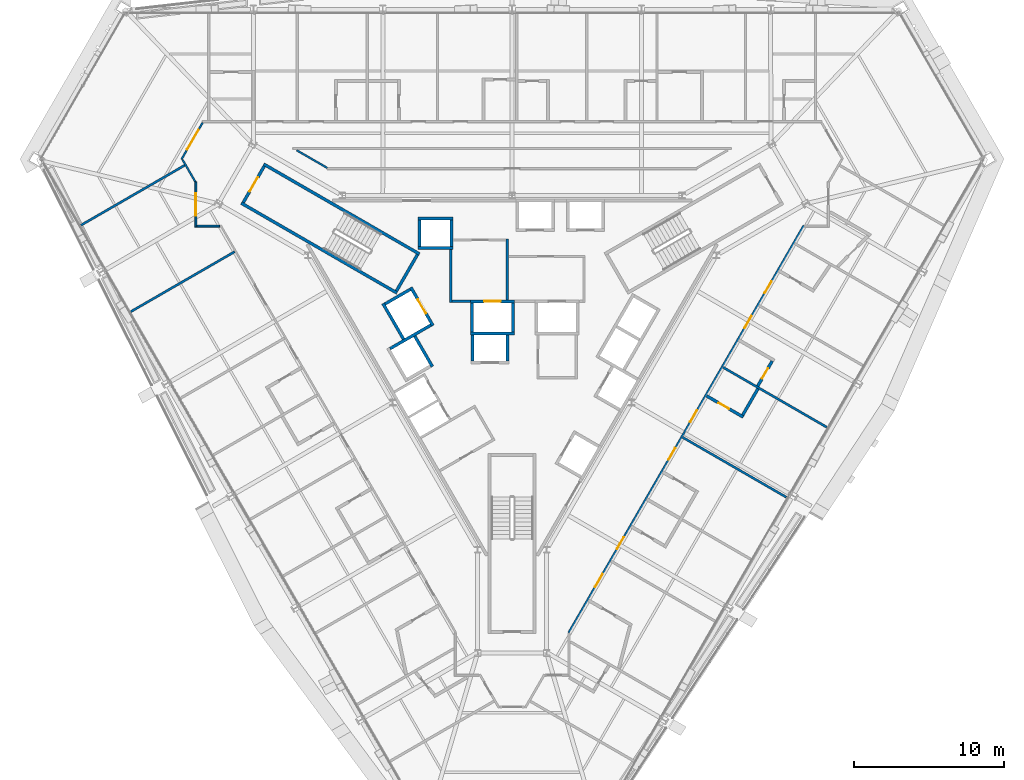
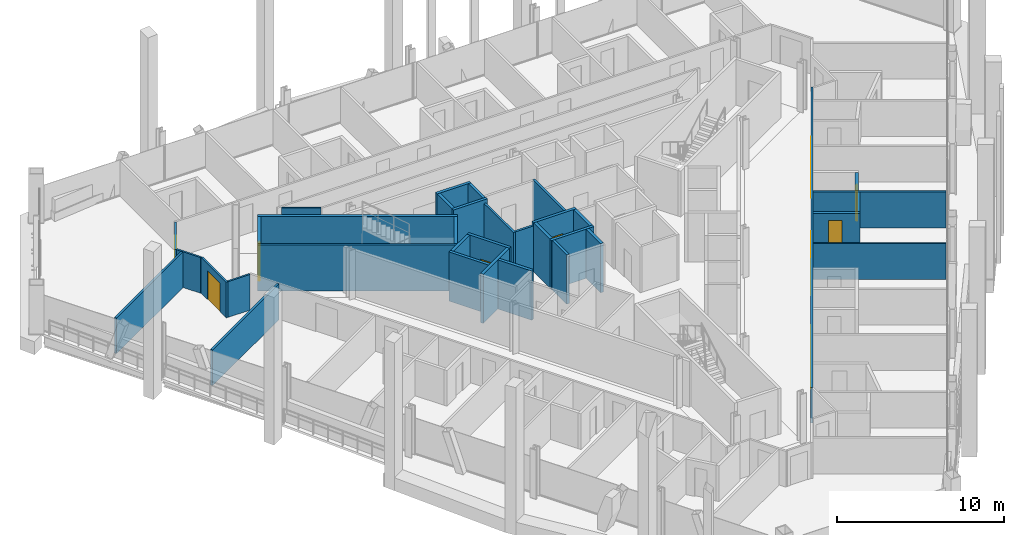
# One storey, part 13 of 19: 35 walls, 13 doors, 13 openings.
"""IFC4 building model written with IfcOpenShell, lengths in metres."""

from ifc_helpers import new_model, si_unit, direction, frame, frame_2d, origin, place, context, subcontext, project, spatial, rectangle, extrude, material, layer, layer_set, type_object, element, fill, save


model = new_model("IFC4")

# Units and contexts
model_context = context("Model", 3, precision=1e-05, world=origin(), true_north=direction((0.0, 1.0)))
body_context = subcontext(model_context, "Body", "Model", "MODEL_VIEW")
ifc_project = project(units=[si_unit("LENGTHUNIT", "METRE"), si_unit("AREAUNIT", "SQUARE_METRE"), si_unit("VOLUMEUNIT", "CUBIC_METRE"), si_unit("PLANEANGLEUNIT", "RADIAN"), si_unit("MASSUNIT", "GRAM", prefix="KILO")], contexts=[model_context])

# Site, building, storey
site_placement = place(None, origin())
site = spatial("IfcSite", under=ifc_project, at=site_placement, CompositionType="ELEMENT")
building_placement = place(site_placement, origin())
building = spatial("IfcBuilding", under=site, at=building_placement, Name="Verrane Prism Tower", CompositionType="ELEMENT")
storey_placement = place(building_placement, frame((0.0, 0.0, 76.39990234375)))
storey = spatial("IfcBuildingStorey", under=building, at=storey_placement, Name="L17", CompositionType="ELEMENT", Elevation=76.39990234375)

# Wall, opening, door
ifc_material_1 = material(Name="Concrete C40/50", Category="concrete")
ifc_layer_1 = layer(ifc_material_1, 0.199951171875)
ifc_layer_set_1 = layer_set([ifc_layer_1], Name="CW-200 stair core wall concrete C40/50 3 h")
wall_type_1 = type_object("IfcWallType", Name="CW-200 stair core wall concrete C40/50 3 h", PredefinedType="PARTITIONING", material=ifc_layer_set_1)
wall_1_placement = place(storey_placement, frame((-16.533935546875, 11.162353515625, 0.0), z_axis=(0.0, 0.0, 1.0), x_axis=(-0.49998411664, -0.866034573852, 0.0)))
wall_1 = element("IfcWall", 1, at=wall_1_placement, inside=storey, type_object=wall_type_1, Name="Stair 2 enclosure wall", PredefinedType="PARTITIONING", context=body_context, shape_type="SweptSolid", body=[
    extrude(rectangle(XDim=2.7998046875, YDim=0.199951171875, at=frame_2d((1.39990234375, 0.0))), origin(), (0.0, 0.0, 1.0), 3.35009765625),
])
opening_1_placement = place(wall_1_placement, frame((0.849853515625, 0.0, 0.0)))
opening_1 = element("IfcOpeningElement", 2, at=opening_1_placement, cuts=wall_1, Name="Opening D17501", PredefinedType="OPENING", context=body_context, shape_type="SweptSolid", body=[
    extrude(rectangle(XDim=1.10009765625, YDim=2.10009765625, at=frame_2d((0.550048828125, 1.050048828125))), frame((0.0, 0.10986328125, 0.0), z_axis=(0.0, -1.0, 0.0), x_axis=(1.0, 0.0, 0.0)), (0.0, 0.0, 1.0), 0.219970703125),
])
ifc_material_2 = material(Name="Timber veneered door leaf", Category="wood")
door_type_1 = type_object("IfcDoorType", Name="DR-1100x2100 FD90 single leaf stair", OperationType="NOTDEFINED", PredefinedType="DOOR", material=ifc_material_2)
door_1_placement = place(opening_1_placement, origin())
door_1 = element("IfcDoor", 3, at=door_1_placement, inside=storey, type_object=door_type_1, Name="Stair 2 door", OperationType="SINGLE_SWING_RIGHT", OverallHeight=2.10009765625, OverallWidth=1.10009765625, PredefinedType="DOOR", context=body_context, shape_type="SweptSolid", body=[
    extrude(rectangle(XDim=1.10009765625, YDim=2.10009765625, at=frame_2d((0.550048828125, 1.050048828125))), frame((0.0, 0.02490234375, 0.0), z_axis=(0.0, -1.0, 0.0), x_axis=(1.0, 0.0, 0.0)), (0.0, 0.0, 1.0), 0.050048828125),
])
fill(opening_1, door_1)

# Walls
for number, where, z_axis, x_axis, name in (
    (4, (-7.67822265625, 2.700927734375, 0.0), (0.0, 0.0, 1.0), (-0.866026010844, 0.49999894854, 0.0), "Stair 2 enclosure wall"),
    (5, (-6.17822265625, 5.299072265625, 0.0), (0.0, 0.0, 1.0), (-0.866026010844, 0.49999894854, 0.0), "Stair 2 enclosure wall"),
):
    element("IfcWall", number, at=place(storey_placement, frame(where, z_axis=z_axis, x_axis=x_axis)), inside=storey, type_object=wall_type_1, Name=name, PredefinedType="PARTITIONING", context=body_context, shape_type="SweptSolid", body=[
        extrude(rectangle(XDim=12.0, YDim=0.199951171875, at=frame_2d((6.0, 0.0))), origin(), (0.0, 0.0, 1.0), 3.35009765625),
    ])
wall_2_placement = place(storey_placement, frame((-6.314697265625, 5.262451171875, 0.0), z_axis=(0.0, 0.0, 1.0), x_axis=(-0.500049511043, -0.865996816683, 0.0)))
element("IfcWall", 6, at=wall_2_placement, inside=storey, type_object=wall_type_1, Name="Stair 2 enclosure wall", PredefinedType="PARTITIONING", context=body_context, shape_type="SweptSolid", body=[
    extrude(rectangle(XDim=2.800048828125, YDim=0.199951171875, at=frame_2d((1.39990234375, 0.0))), origin(), (0.0, 0.0, 1.0), 3.35009765625),
])
ifc_material_3 = material(Name="Gypsum board shaft wall assembly", Category="other")
ifc_layer_2 = layer(ifc_material_3, 0.199951171875)
ifc_layer_set_2 = layer_set([ifc_layer_2], Name="HW-200 lift shaft wall 2 h")
wall_type_2 = type_object("IfcWallType", Name="HW-200 lift shaft wall 2 h", PredefinedType="PARTITIONING", material=ifc_layer_set_2)
wall_3_placement = place(storey_placement, frame((-2.784912109375, 0.0, 0.0), z_axis=(0.0, 0.0, 1.0), x_axis=(1.0, 0.0, 0.0)))
element("IfcWall", 7, at=wall_3_placement, inside=storey, type_object=wall_type_2, Name="Lift shaft wall", PredefinedType="PARTITIONING", context=body_context, shape_type="SweptSolid", body=[
    extrude(rectangle(XDim=2.949951171875, YDim=0.199951171875, at=frame_2d((1.47509765625, 0.0))), origin(), (0.0, 0.0, 1.0), 3.60009765625),
])

# Wall, opening, door
wall_4_placement = place(storey_placement, frame((-2.784912109375, 2.14990234375, 0.0), z_axis=(0.0, 0.0, 1.0), x_axis=(1.0, 0.0, 0.0)))
wall_4 = element("IfcWall", 8, at=wall_4_placement, inside=storey, type_object=wall_type_2, Name="Lift shaft wall", PredefinedType="PARTITIONING", context=body_context, shape_type="SweptSolid", body=[
    extrude(rectangle(XDim=2.949951171875, YDim=0.199951171875, at=frame_2d((1.47509765625, 0.0))), origin(), (0.0, 0.0, 1.0), 3.60009765625),
])
opening_2_placement = place(wall_4_placement, frame((0.925048828125, 0.0, 0.0)))
opening_2 = element("IfcOpeningElement", 9, at=opening_2_placement, cuts=wall_4, Name="Opening D17508", PredefinedType="OPENING", context=body_context, shape_type="SweptSolid", body=[
    extrude(rectangle(XDim=1.10009765625, YDim=2.10009765625, at=frame_2d((0.550048828125, 1.050048828125))), frame((0.0, 0.10986328125, 0.0), z_axis=(0.0, -1.0, 0.0), x_axis=(1.0, 0.0, 0.0)), (0.0, 0.0, 1.0), 0.219970703125),
])
ifc_material_4 = material(Name="Stainless steel sliding landing door", Category="steel")
door_type_2 = type_object("IfcDoorType", Name="LD-1100x2100 lift landing door FD90 sliding", OperationType="NOTDEFINED", PredefinedType="DOOR", material=ifc_material_4)
door_2_placement = place(opening_2_placement, origin())
door_2 = element("IfcDoor", 10, at=door_2_placement, inside=storey, type_object=door_type_2, Name="Fire service lift 1 landing door", OperationType="SLIDING_TO_LEFT", OverallHeight=2.10009765625, OverallWidth=1.10009765625, PredefinedType="DOOR", context=body_context, shape_type="SweptSolid", body=[
    extrude(rectangle(XDim=1.10009765625, YDim=2.10009765625, at=frame_2d((0.550048828125, 1.050048828125))), frame((0.0, 0.02490234375, 0.0), z_axis=(0.0, -1.0, 0.0), x_axis=(1.0, 0.0, 0.0)), (0.0, 0.0, 1.0), 0.050048828125),
])
fill(opening_2, door_2)

# Walls
for number, where, z_axis, x_axis, name in (
    (11, (-6.284912109375, 5.7099609375, 0.0), (0.0, 0.0, 1.0), (1.0, 0.0, 0.0), "Lift shaft wall"),
    (12, (-6.284912109375, 7.659912109375, 0.0), (0.0, 0.0, 1.0), (1.0, 0.0, 0.0), "Lift shaft wall"),
):
    element("IfcWall", number, at=place(storey_placement, frame(where, z_axis=z_axis, x_axis=x_axis)), inside=storey, type_object=wall_type_2, Name=name, PredefinedType="PARTITIONING", context=body_context, shape_type="SweptSolid", body=[
        extrude(rectangle(XDim=2.349853515625, YDim=0.199951171875, at=frame_2d((1.1748046875, 0.0))), origin(), (0.0, 0.0, 1.0), 3.60009765625),
    ])
wall_5_placement = place(storey_placement, frame((-8.14453125, -1.012939453125, 0.0), z_axis=(0.0, 0.0, 1.0), x_axis=(0.866016494683, 0.500015430699, 0.0)))
element("IfcWall", 13, at=wall_5_placement, inside=storey, type_object=wall_type_2, Name="Lift shaft wall", PredefinedType="PARTITIONING", context=body_context, shape_type="SweptSolid", body=[
    extrude(rectangle(XDim=3.14990234375, YDim=0.199951171875, at=frame_2d((1.574951171875, 0.0))), origin(), (0.0, 0.0, 1.0), 3.60009765625),
])
for number, where, z_axis, x_axis, name in (
    (14, (-8.48046875, 1.968505859375, 0.0), (0.0, 0.0, 1.0), (0.866000020948, 0.500043961785, 0.0), "Lift shaft wall"),
    (15, (0.06494140625, 0.10009765625, 0.0), (0.0, 0.0, 1.0), (0.0, 1.0, 0.0), "Lift shaft wall"),
):
    element("IfcWall", number, at=place(storey_placement, frame(where, z_axis=z_axis, x_axis=x_axis)), inside=storey, type_object=wall_type_2, Name=name, PredefinedType="PARTITIONING", context=body_context, shape_type="SweptSolid", body=[
        extrude(rectangle(XDim=1.949951171875, YDim=0.199951171875, at=frame_2d((0.97509765625, 0.0))), origin(), (0.0, 0.0, 1.0), 3.60009765625),
    ])
for number, where, z_axis, x_axis, name in (
    (16, (-0.304931640625, -1.85009765625, 0.0), (0.0, 0.0, 1.0), (0.0, 1.0, 0.0), "Lift shaft wall"),
    (17, (-2.655029296875, -1.85009765625, 0.0), (0.0, 0.0, 1.0), (0.0, 1.0, 0.0), "Lift shaft wall"),
):
    element("IfcWall", number, at=place(storey_placement, frame(where, z_axis=z_axis, x_axis=x_axis)), inside=storey, type_object=wall_type_2, Name=name, PredefinedType="PARTITIONING", context=body_context, shape_type="SweptSolid", body=[
        extrude(rectangle(XDim=1.75, YDim=0.199951171875, at=frame_2d((0.875, 0.0))), origin(), (0.0, 0.0, 1.0), 3.60009765625),
    ])
wall_6_placement = place(storey_placement, frame((-2.68505859375, 0.10009765625, 0.0), z_axis=(0.0, 0.0, 1.0), x_axis=(0.0, 1.0, 0.0)))
element("IfcWall", 18, at=wall_6_placement, inside=storey, type_object=wall_type_2, Name="Lift shaft wall", PredefinedType="PARTITIONING", context=body_context, shape_type="SweptSolid", body=[
    extrude(rectangle(XDim=1.949951171875, YDim=0.199951171875, at=frame_2d((0.97509765625, 0.0))), origin(), (0.0, 0.0, 1.0), 3.60009765625),
])
for number, where, z_axis, x_axis, name in (
    (19, (-4.034912109375, 5.81005859375, 0.0), (0.0, 0.0, 1.0), (0.0, 1.0, 0.0), "Lift shaft wall"),
    (20, (-6.18505859375, 5.81005859375, 0.0), (0.0, 0.0, 1.0), (0.0, 1.0, 0.0), "Lift shaft wall"),
):
    element("IfcWall", number, at=place(storey_placement, frame(where, z_axis=z_axis, x_axis=x_axis)), inside=storey, type_object=wall_type_2, Name=name, PredefinedType="PARTITIONING", context=body_context, shape_type="SweptSolid", body=[
        extrude(rectangle(XDim=1.75, YDim=0.199951171875, at=frame_2d((0.875, 0.0))), origin(), (0.0, 0.0, 1.0), 3.60009765625),
    ])

# Wall, opening, door
wall_7_placement = place(storey_placement, frame((-5.280029296875, 0.525390625, 0.0), z_axis=(0.0, 0.0, 1.0), x_axis=(-0.500037662692, 0.866003658127, 0.0)))
wall_7 = element("IfcWall", 21, at=wall_7_placement, inside=storey, type_object=wall_type_2, Name="Lift shaft wall", PredefinedType="PARTITIONING", context=body_context, shape_type="SweptSolid", body=[
    extrude(rectangle(XDim=2.949951171875, YDim=0.199951171875, at=frame_2d((1.47509765625, 0.0))), origin(), (0.0, 0.0, 1.0), 3.60009765625),
])
opening_3_placement = place(wall_7_placement, frame((0.925048828125, 0.0, 0.0)))
opening_3 = element("IfcOpeningElement", 22, at=opening_3_placement, cuts=wall_7, Name="Opening D17510", PredefinedType="OPENING", context=body_context, shape_type="SweptSolid", body=[
    extrude(rectangle(XDim=1.10009765625, YDim=2.10009765625, at=frame_2d((0.550048828125, 1.050048828125))), frame((0.0, 0.10986328125, 0.0), z_axis=(0.0, -1.0, 0.0), x_axis=(1.0, 0.0, 0.0)), (0.0, 0.0, 1.0), 0.219970703125),
])
door_3_placement = place(opening_3_placement, origin())
door_3 = element("IfcDoor", 23, at=door_3_placement, inside=storey, type_object=door_type_2, Name="Service lift 1 landing door", OperationType="SLIDING_TO_LEFT", OverallHeight=2.10009765625, OverallWidth=1.10009765625, PredefinedType="DOOR", context=body_context, shape_type="SweptSolid", body=[
    extrude(rectangle(XDim=1.10009765625, YDim=2.10009765625, at=frame_2d((0.550048828125, 1.050048828125))), frame((0.0, 0.02490234375, 0.0), z_axis=(0.0, -1.0, 0.0), x_axis=(1.0, 0.0, 0.0)), (0.0, 0.0, 1.0), 0.050048828125),
])
fill(opening_3, door_3)

# Walls
wall_8_placement = place(storey_placement, frame((-5.317626953125, -2.209716796875, 0.0), z_axis=(0.0, 0.0, 1.0), x_axis=(-0.499938297808, 0.866061024631, 0.0)))
element("IfcWall", 24, at=wall_8_placement, inside=storey, type_object=wall_type_2, Name="Lift shaft wall", PredefinedType="PARTITIONING", context=body_context, shape_type="SweptSolid", body=[
    extrude(rectangle(XDim=2.349853515625, YDim=0.199951171875, at=frame_2d((1.1748046875, 0.0))), origin(), (0.0, 0.0, 1.0), 3.60009765625),
])
wall_9_placement = place(storey_placement, frame((-7.241943359375, -0.37646484375, 0.0), z_axis=(0.0, 0.0, 1.0), x_axis=(-0.499996545922, 0.866027397988, 0.0)))
element("IfcWall", 25, at=wall_9_placement, inside=storey, type_object=wall_type_2, Name="Lift shaft wall", PredefinedType="PARTITIONING", context=body_context, shape_type="SweptSolid", body=[
    extrude(rectangle(XDim=2.75, YDim=0.199951171875, at=frame_2d((1.375, 0.0))), origin(), (0.0, 0.0, 1.0), 3.60009765625),
])
ifc_material_5 = material(Name="Gypsum board partition", Category="other")
ifc_layer_3 = layer(ifc_material_5, 0.14990234375)
ifc_layer_set_3 = layer_set([ifc_layer_3], Name="LF-150 firefighting lobby wall 1 h")
wall_type_3 = type_object("IfcWallType", Name="LF-150 firefighting lobby wall 1 h", PredefinedType="PARTITIONING", material=ifc_layer_set_3)
wall_10_placement = place(storey_placement, frame((-4.10009765625, 2.0849609375, 0.0), z_axis=(0.0, 0.0, 1.0), x_axis=(0.0, 1.0, 0.0)))
element("IfcWall", 26, at=wall_10_placement, inside=storey, type_object=wall_type_3, Name="Firefighting lobby wall LF1-001", PredefinedType="PARTITIONING", context=body_context, shape_type="SweptSolid", body=[
    extrude(rectangle(XDim=3.52294921875, YDim=0.14990234375, at=frame_2d((1.761474609375, 0.0))), origin(), (0.0, 0.0, 1.0), 3.35009765625),
])
wall_11_placement = place(storey_placement, frame((-4.02490234375, 2.159912109375, 0.0), z_axis=(0.0, 0.0, 1.0), x_axis=(1.0, 0.0, 0.0)))
element("IfcWall", 27, at=wall_11_placement, inside=storey, type_object=wall_type_3, Name="Firefighting lobby wall LF1-002", PredefinedType="PARTITIONING", context=body_context, shape_type="SweptSolid", body=[
    extrude(rectangle(XDim=1.23779296875, YDim=0.14990234375, at=frame_2d((0.618896484375, 0.0))), origin(), (0.0, 0.0, 1.0), 3.35009765625),
])
wall_12_placement = place(storey_placement, frame((-0.320068359375, 2.251953125, 0.0), z_axis=(0.0, 0.0, 1.0), x_axis=(0.0, 1.0, 0.0)))
element("IfcWall", 28, at=wall_12_placement, inside=storey, type_object=wall_type_3, Name="Firefighting lobby wall LF1-004", PredefinedType="PARTITIONING", context=body_context, shape_type="SweptSolid", body=[
    extrude(rectangle(XDim=4.06298828125, YDim=0.14990234375, at=frame_2d((2.031494140625, 0.0))), origin(), (0.0, 0.0, 1.0), 3.35009765625),
])
ifc_material_6 = material(Name="Gypsum board partition", Category="other")
ifc_layer_4 = layer(ifc_material_6, 0.125)
ifc_layer_set_4 = layer_set([ifc_layer_4], Name="PW-125 corridor wall 1 h")
wall_type_4 = type_object("IfcWallType", Name="PW-125 corridor wall 1 h", PredefinedType="PARTITIONING", material=ifc_layer_set_4)
wall_13_placement = place(storey_placement, frame((-21.982421875, 11.593505859375, 0.0), z_axis=(0.0, 0.0, 1.0), x_axis=(0.500048373822, -0.865997473344, 0.0)))
element("IfcWall", 29, at=wall_13_placement, inside=storey, type_object=wall_type_4, Name="Corridor wall 004", PredefinedType="PARTITIONING", context=body_context, shape_type="SweptSolid", body=[
    extrude(rectangle(XDim=1.685791015625, YDim=0.125, at=frame_2d((0.8427734375, 0.0))), origin(), (0.0, 0.0, 1.0), 2.613037109375),
])

# Wall, opening, door
wall_14_placement = place(storey_placement, frame((-22.05615234375, 11.61279296875, 0.0), z_axis=(0.0, 0.0, 1.0), x_axis=(0.499647745683, 0.866228682412, 0.0)))
wall_14 = element("IfcWall", 30, at=wall_14_placement, inside=storey, type_object=wall_type_4, Name="Corridor wall 005", PredefinedType="PARTITIONING", context=body_context, shape_type="SweptSolid", body=[
    extrude(rectangle(XDim=2.8291015625, YDim=0.125, at=frame_2d((1.41455078125, 0.0))), origin(), (0.0, 0.0, 1.0), 2.613037109375),
])
opening_4_placement = place(wall_14_placement, frame((0.762451171875, 0.0, 0.0)))
opening_4 = element("IfcOpeningElement", 31, at=opening_4_placement, cuts=wall_14, Name="Opening D17034", PredefinedType="OPENING", context=body_context, shape_type="SweptSolid", body=[
    extrude(rectangle(XDim=1.5, YDim=2.10009765625, at=frame_2d((0.75, 1.050048828125))), frame((0.0, 0.072509765625, 0.0), z_axis=(0.0, -1.0, 0.0), x_axis=(1.0, 0.0, 0.0)), (0.0, 0.0, 1.0), 0.14501953125),
])
ifc_material_7 = material(Name="Timber veneered door leaf", Category="wood")
door_type_3 = type_object("IfcDoorType", Name="DR-1500x2100 FD20 double leaf public", OperationType="NOTDEFINED", PredefinedType="DOOR", material=ifc_material_7)
door_4_placement = place(opening_4_placement, origin())
door_4 = element("IfcDoor", 32, at=door_4_placement, inside=storey, type_object=door_type_3, Name="Library Lounge door", OperationType="DOUBLE_DOOR_SINGLE_SWING", OverallHeight=2.10009765625, OverallWidth=1.5, PredefinedType="DOOR", context=body_context, shape_type="SweptSolid", body=[
    extrude(rectangle(XDim=1.5, YDim=2.10009765625, at=frame_2d((0.75, 1.050048828125))), frame((0.0, 0.02490234375, 0.0), z_axis=(0.0, -1.0, 0.0), x_axis=(1.0, 0.0, 0.0)), (0.0, 0.0, 1.0), 0.050048828125),
])
fill(opening_4, door_4)

wall_15_placement = place(storey_placement, frame((-21.096923828125, 7.1005859375, 0.0), z_axis=(0.0, 0.0, 1.0), x_axis=(0.0, 1.0, 0.0)))
wall_15 = element("IfcWall", 33, at=wall_15_placement, inside=storey, type_object=wall_type_4, Name="Corridor wall 006", PredefinedType="PARTITIONING", context=body_context, shape_type="SweptSolid", body=[
    extrude(rectangle(XDim=3.02197265625, YDim=0.125, at=frame_2d((1.510986328125, 0.0))), origin(), (0.0, 0.0, 1.0), 2.613037109375),
])
opening_5_placement = place(wall_15_placement, frame((0.762451171875, 0.0, 0.0)))
opening_5 = element("IfcOpeningElement", 34, at=opening_5_placement, cuts=wall_15, Name="Opening D17035", PredefinedType="OPENING", context=body_context, shape_type="SweptSolid", body=[
    extrude(rectangle(XDim=1.5, YDim=2.10009765625, at=frame_2d((0.75, 1.050048828125))), frame((0.0, 0.072509765625, 0.0), z_axis=(0.0, -1.0, 0.0), x_axis=(1.0, 0.0, 0.0)), (0.0, 0.0, 1.0), 0.14501953125),
])
door_5_placement = place(opening_5_placement, origin())
door_5 = element("IfcDoor", 35, at=door_5_placement, inside=storey, type_object=door_type_3, Name="Meeting Room door", OperationType="DOUBLE_DOOR_SINGLE_SWING", OverallHeight=2.10009765625, OverallWidth=1.5, PredefinedType="DOOR", context=body_context, shape_type="SweptSolid", body=[
    extrude(rectangle(XDim=1.5, YDim=2.10009765625, at=frame_2d((0.75, 1.050048828125))), frame((0.0, 0.02490234375, 0.0), z_axis=(0.0, -1.0, 0.0), x_axis=(1.0, 0.0, 0.0)), (0.0, 0.0, 1.0), 0.050048828125),
])
fill(opening_5, door_5)

# Walls
wall_16_placement = place(storey_placement, frame((-21.031982421875, 7.1630859375, 0.0), z_axis=(0.0, 0.0, 1.0), x_axis=(1.0, 0.0, 0.0)))
element("IfcWall", 36, at=wall_16_placement, inside=storey, type_object=wall_type_4, Name="Corridor wall 007", PredefinedType="PARTITIONING", context=body_context, shape_type="SweptSolid", body=[
    extrude(rectangle(XDim=1.52197265625, YDim=0.125, at=frame_2d((0.760986328125, 0.0))), origin(), (0.0, 0.0, 1.0), 2.613037109375),
])
wall_17_placement = place(storey_placement, frame((-14.369873046875, 12.221923828125, 0.0), z_axis=(0.0, 0.0, 1.0), x_axis=(0.866063239147, -0.499934461503, 0.0)))
element("IfcWall", 37, at=wall_17_placement, inside=storey, type_object=wall_type_4, Name="Corridor wall 019", PredefinedType="PARTITIONING", context=body_context, shape_type="SweptSolid", body=[
    extrude(rectangle(XDim=2.359130859375, YDim=0.125, at=frame_2d((1.1796875, 0.0))), origin(), (0.0, 0.0, 1.0), 2.613037109375),
])

# Wall, openings, doors
wall_18_placement = place(storey_placement, frame((19.456298828125, 7.217041015625, 0.0), z_axis=(0.0, 0.0, 1.0), x_axis=(-0.50002170027, -0.866012874765, 0.0)))
wall_18 = element("IfcWall", 38, at=wall_18_placement, inside=storey, type_object=wall_type_4, Name="Corridor wall 056", PredefinedType="PARTITIONING", context=body_context, shape_type="SweptSolid", body=[
    extrude(rectangle(XDim=31.37939453125, YDim=0.125, at=frame_2d((15.689697265625, 0.0))), origin(), (0.0, 0.0, 1.0), 2.613037109375),
])
opening_6_placement = place(wall_18_placement, frame((26.84326171875, 0.0, 0.0)))
opening_6 = element("IfcOpeningElement", 39, at=opening_6_placement, cuts=wall_18, Name="Opening D17003", PredefinedType="OPENING", context=body_context, shape_type="SweptSolid", body=[
    extrude(rectangle(XDim=1.0, YDim=2.10009765625, at=frame_2d((0.5, 1.050048828125))), frame((0.0, 0.072509765625, 0.0), z_axis=(0.0, -1.0, 0.0), x_axis=(1.0, 0.0, 0.0)), (0.0, 0.0, 1.0), 0.14501953125),
])
opening_7_placement = place(wall_18_placement, frame((24.0302734375, 0.0, 0.0)))
opening_7 = element("IfcOpeningElement", 40, at=opening_7_placement, cuts=wall_18, Name="Opening D17005", PredefinedType="OPENING", context=body_context, shape_type="SweptSolid", body=[
    extrude(rectangle(XDim=0.89990234375, YDim=2.10009765625, at=frame_2d((0.449951171875, 1.050048828125))), frame((0.0, 0.072509765625, 0.0), z_axis=(0.0, -1.0, 0.0), x_axis=(1.0, 0.0, 0.0)), (0.0, 0.0, 1.0), 0.14501953125),
])
opening_8_placement = place(wall_18_placement, frame((17.1591796875, 0.0, 0.0)))
opening_8 = element("IfcOpeningElement", 41, at=opening_8_placement, cuts=wall_18, Name="Opening D17007", PredefinedType="OPENING", context=body_context, shape_type="SweptSolid", body=[
    extrude(rectangle(XDim=0.89990234375, YDim=2.10009765625, at=frame_2d((0.449951171875, 1.050048828125))), frame((0.0, 0.072509765625, 0.0), z_axis=(0.0, -1.0, 0.0), x_axis=(1.0, 0.0, 0.0)), (0.0, 0.0, 1.0), 0.14501953125),
])
opening_9_placement = place(wall_18_placement, frame((14.240234375, 0.0, 0.0)))
opening_9 = element("IfcOpeningElement", 42, at=opening_9_placement, cuts=wall_18, Name="Opening D17009", PredefinedType="OPENING", context=body_context, shape_type="SweptSolid", body=[
    extrude(rectangle(XDim=0.89990234375, YDim=2.10009765625, at=frame_2d((0.449951171875, 1.050048828125))), frame((0.0, 0.072509765625, 0.0), z_axis=(0.0, -1.0, 0.0), x_axis=(1.0, 0.0, 0.0)), (0.0, 0.0, 1.0), 0.14501953125),
])
opening_10_placement = place(wall_18_placement, frame((6.997314453125, 0.0, 0.0)))
opening_10 = element("IfcOpeningElement", 43, at=opening_10_placement, cuts=wall_18, Name="Opening D17011", PredefinedType="OPENING", context=body_context, shape_type="SweptSolid", body=[
    extrude(rectangle(XDim=0.89990234375, YDim=2.10009765625, at=frame_2d((0.449951171875, 1.050048828125))), frame((0.0, 0.072509765625, 0.0), z_axis=(0.0, -1.0, 0.0), x_axis=(1.0, 0.0, 0.0)), (0.0, 0.0, 1.0), 0.14501953125),
])
opening_11_placement = place(wall_18_placement, frame((4.3271484375, 0.0, 0.0)))
opening_11 = element("IfcOpeningElement", 44, at=opening_11_placement, cuts=wall_18, Name="Opening D17013", PredefinedType="OPENING", context=body_context, shape_type="SweptSolid", body=[
    extrude(rectangle(XDim=0.89990234375, YDim=2.10009765625, at=frame_2d((0.449951171875, 1.050048828125))), frame((0.0, 0.072509765625, 0.0), z_axis=(0.0, -1.0, 0.0), x_axis=(1.0, 0.0, 0.0)), (0.0, 0.0, 1.0), 0.14501953125),
])
ifc_material_8 = material(Name="Timber veneered door leaf", Category="wood")
door_type_4 = type_object("IfcDoorType", Name="DR-1000x2100 FD20 single leaf unit", OperationType="NOTDEFINED", PredefinedType="DOOR", material=ifc_material_8)
door_6_placement = place(opening_6_placement, origin())
door_6 = element("IfcDoor", 45, at=door_6_placement, inside=storey, type_object=door_type_4, Name="Accessible Guest Room door", OperationType="SINGLE_SWING_LEFT", OverallHeight=2.10009765625, OverallWidth=1.0, PredefinedType="DOOR", context=body_context, shape_type="SweptSolid", body=[
    extrude(rectangle(XDim=1.0, YDim=2.10009765625, at=frame_2d((0.5, 1.050048828125))), frame((0.0, 0.02490234375, 0.0), z_axis=(0.0, -1.0, 0.0), x_axis=(1.0, 0.0, 0.0)), (0.0, 0.0, 1.0), 0.050048828125),
])
fill(opening_6, door_6)
ifc_material_9 = material(Name="Timber veneered door leaf", Category="wood")
door_type_5 = type_object("IfcDoorType", Name="DR-900x2100 FD20 single leaf unit", OperationType="NOTDEFINED", PredefinedType="DOOR", material=ifc_material_9)
door_7_placement = place(opening_7_placement, origin())
door_7 = element("IfcDoor", 46, at=door_7_placement, inside=storey, type_object=door_type_5, Name="Guest Room door", OperationType="SINGLE_SWING_LEFT", OverallHeight=2.10009765625, OverallWidth=0.89990234375, PredefinedType="DOOR", context=body_context, shape_type="SweptSolid", body=[
    extrude(rectangle(XDim=0.89990234375, YDim=2.10009765625, at=frame_2d((0.449951171875, 1.050048828125))), frame((0.0, 0.02490234375, 0.0), z_axis=(0.0, -1.0, 0.0), x_axis=(1.0, 0.0, 0.0)), (0.0, 0.0, 1.0), 0.050048828125),
])
fill(opening_7, door_7)
door_8_placement = place(opening_8_placement, origin())
door_8 = element("IfcDoor", 47, at=door_8_placement, inside=storey, type_object=door_type_5, Name="Guest Room door", OperationType="SINGLE_SWING_LEFT", OverallHeight=2.10009765625, OverallWidth=0.89990234375, PredefinedType="DOOR", context=body_context, shape_type="SweptSolid", body=[
    extrude(rectangle(XDim=0.89990234375, YDim=2.10009765625, at=frame_2d((0.449951171875, 1.050048828125))), frame((0.0, 0.02490234375, 0.0), z_axis=(0.0, -1.0, 0.0), x_axis=(1.0, 0.0, 0.0)), (0.0, 0.0, 1.0), 0.050048828125),
])
fill(opening_8, door_8)
door_9_placement = place(opening_9_placement, origin())
door_9 = element("IfcDoor", 48, at=door_9_placement, inside=storey, type_object=door_type_5, Name="Guest Room door", OperationType="SINGLE_SWING_LEFT", OverallHeight=2.10009765625, OverallWidth=0.89990234375, PredefinedType="DOOR", context=body_context, shape_type="SweptSolid", body=[
    extrude(rectangle(XDim=0.89990234375, YDim=2.10009765625, at=frame_2d((0.449951171875, 1.050048828125))), frame((0.0, 0.02490234375, 0.0), z_axis=(0.0, -1.0, 0.0), x_axis=(1.0, 0.0, 0.0)), (0.0, 0.0, 1.0), 0.050048828125),
])
fill(opening_9, door_9)
door_10_placement = place(opening_10_placement, origin())
door_10 = element("IfcDoor", 49, at=door_10_placement, inside=storey, type_object=door_type_5, Name="Guest Room door", OperationType="SINGLE_SWING_RIGHT", OverallHeight=2.10009765625, OverallWidth=0.89990234375, PredefinedType="DOOR", context=body_context, shape_type="SweptSolid", body=[
    extrude(rectangle(XDim=0.89990234375, YDim=2.10009765625, at=frame_2d((0.449951171875, 1.050048828125))), frame((0.0, 0.02490234375, 0.0), z_axis=(0.0, -1.0, 0.0), x_axis=(1.0, 0.0, 0.0)), (0.0, 0.0, 1.0), 0.050048828125),
])
fill(opening_10, door_10)
door_11_placement = place(opening_11_placement, origin())
door_11 = element("IfcDoor", 50, at=door_11_placement, inside=storey, type_object=door_type_5, Name="Guest Room door", OperationType="SINGLE_SWING_RIGHT", OverallHeight=2.10009765625, OverallWidth=0.89990234375, PredefinedType="DOOR", context=body_context, shape_type="SweptSolid", body=[
    extrude(rectangle(XDim=0.89990234375, YDim=2.10009765625, at=frame_2d((0.449951171875, 1.050048828125))), frame((0.0, 0.02490234375, 0.0), z_axis=(0.0, -1.0, 0.0), x_axis=(1.0, 0.0, 0.0)), (0.0, 0.0, 1.0), 0.050048828125),
])
fill(opening_11, door_11)

# Walls
ifc_material_10 = material(Name="Gypsum board partition", Category="other")
ifc_layer_5 = layer(ifc_material_10, 0.14990234375)
ifc_layer_set_5 = layer_set([ifc_layer_5], Name="PW-150 demising wall 1 h")
wall_type_5 = type_object("IfcWallType", Name="PW-150 demising wall 1 h", PredefinedType="PARTITIONING", material=ifc_layer_set_5)
wall_19_placement = place(storey_placement, frame((-28.759521484375, 7.22314453125, 0.0), z_axis=(0.0, 0.0, 1.0), x_axis=(0.866019724796, 0.500009836168, 0.0)))
element("IfcWall", 51, at=wall_19_placement, inside=storey, type_object=wall_type_5, Name="Demising wall 001", PredefinedType="PARTITIONING", context=body_context, shape_type="SweptSolid", body=[
    extrude(rectangle(XDim=7.990966796875, YDim=0.14990234375, at=frame_2d((3.99560546875, 0.0))), origin(), (0.0, 0.0, 1.0), 2.613037109375),
])
wall_20_placement = place(storey_placement, frame((-25.431640625, 1.458984375, 0.0), z_axis=(0.0, 0.0, 1.0), x_axis=(0.866052736899, 0.499952654668, 0.0)))
element("IfcWall", 52, at=wall_20_placement, inside=storey, type_object=wall_type_5, Name="Demising wall 002", PredefinedType="PARTITIONING", context=body_context, shape_type="SweptSolid", body=[
    extrude(rectangle(XDim=7.987060546875, YDim=0.14990234375, at=frame_2d((3.99365234375, 0.0))), origin(), (0.0, 0.0, 1.0), 2.613037109375),
])
wall_21_placement = place(storey_placement, frame((11.365234375, -6.921142578125, 0.0), z_axis=(0.0, 0.0, 1.0), x_axis=(0.866008543052, -0.500029202507, 0.0)))
element("IfcWall", 53, at=wall_21_placement, inside=storey, type_object=wall_type_5, Name="Demising wall 071", PredefinedType="PARTITIONING", context=body_context, shape_type="SweptSolid", body=[
    extrude(rectangle(XDim=7.99169921875, YDim=0.14990234375, at=frame_2d((3.995849609375, 0.0))), origin(), (0.0, 0.0, 1.0), 2.613037109375),
])
wall_22_placement = place(storey_placement, frame((14.0654296875, -2.253662109375, 0.0), z_axis=(0.0, 0.0, 1.0), x_axis=(0.866045096311, -0.499965889992, 0.0)))
element("IfcWall", 54, at=wall_22_placement, inside=storey, type_object=wall_type_5, Name="Demising wall 075", PredefinedType="PARTITIONING", context=body_context, shape_type="SweptSolid", body=[
    extrude(rectangle(XDim=7.98681640625, YDim=0.14990234375, at=frame_2d((3.993408203125, 0.0))), origin(), (0.0, 0.0, 1.0), 2.613037109375),
])

# Wall, opening, door
ifc_material_11 = material(Name="Gypsum board partition", Category="other")
ifc_layer_6 = layer(ifc_material_11, 0.199951171875)
ifc_layer_set_6 = layer_set([ifc_layer_6], Name="PW-200 plumbing wall")
wall_type_6 = type_object("IfcWallType", Name="PW-200 plumbing wall", PredefinedType="PARTITIONING", material=ifc_layer_set_6)
wall_23_placement = place(storey_placement, frame((12.965576171875, -4.15869140625, 0.0), z_axis=(0.0, 0.0, 1.0), x_axis=(0.866033446572, -0.499986069224, 0.0)))
wall_23 = element("IfcWall", 55, at=wall_23_placement, inside=storey, type_object=wall_type_6, Name="Plumbing wall 074", PredefinedType="PARTITIONING", context=body_context, shape_type="SweptSolid", body=[
    extrude(rectangle(XDim=2.83251953125, YDim=0.199951171875, at=frame_2d((1.416259765625, 0.0))), origin(), (0.0, 0.0, 1.0), 2.613037109375),
])
opening_12_placement = place(wall_23_placement, frame((0.9326171875, 0.0, 0.0)))
opening_12 = element("IfcOpeningElement", 56, at=opening_12_placement, cuts=wall_23, Name="Opening D17010", PredefinedType="OPENING", context=body_context, shape_type="SweptSolid", body=[
    extrude(rectangle(XDim=0.800048828125, YDim=2.10009765625, at=frame_2d((0.39990234375, 1.050048828125))), frame((0.0, 0.10986328125, 0.0), z_axis=(0.0, -1.0, 0.0), x_axis=(1.0, 0.0, 0.0)), (0.0, 0.0, 1.0), 0.219970703125),
])
ifc_material_12 = material(Name="Timber veneered door leaf", Category="wood")
door_type_6 = type_object("IfcDoorType", Name="DR-800x2100 single leaf bath", OperationType="NOTDEFINED", PredefinedType="DOOR", material=ifc_material_12)
door_12_placement = place(opening_12_placement, origin())
door_12 = element("IfcDoor", 57, at=door_12_placement, inside=storey, type_object=door_type_6, Name="En-Suite door", OperationType="SINGLE_SWING_LEFT", OverallHeight=2.10009765625, OverallWidth=0.800048828125, PredefinedType="DOOR", context=body_context, shape_type="SweptSolid", body=[
    extrude(rectangle(XDim=0.800048828125, YDim=2.10009765625, at=frame_2d((0.39990234375, 1.050048828125))), frame((0.0, 0.02490234375, 0.0), z_axis=(0.0, -1.0, 0.0), x_axis=(1.0, 0.0, 0.0)), (0.0, 0.0, 1.0), 0.050048828125),
])
fill(opening_12, door_12)

# Wall
wall_24_placement = place(storey_placement, frame((15.382080078125, -5.4384765625, 0.0), z_axis=(0.0, 0.0, 1.0), x_axis=(0.500042536776, 0.866000843773, 0.0)))
element("IfcWall", 58, at=wall_24_placement, inside=storey, type_object=wall_type_6, Name="Plumbing wall 077", PredefinedType="PARTITIONING", context=body_context, shape_type="SweptSolid", body=[
    extrude(rectangle(XDim=2.024658203125, YDim=0.199951171875, at=frame_2d((1.01220703125, 0.0))), origin(), (0.0, 0.0, 1.0), 2.613037109375),
])

# Wall, opening, door
wall_25_placement = place(storey_placement, frame((16.383544921875, -3.505126953125, 0.0), z_axis=(0.0, 0.0, 1.0), x_axis=(0.499876134923, 0.86609690551, 0.0)))
wall_25 = element("IfcWall", 59, at=wall_25_placement, inside=storey, type_object=wall_type_6, Name="Plumbing wall 079", PredefinedType="PARTITIONING", context=body_context, shape_type="SweptSolid", body=[
    extrude(rectangle(XDim=1.92529296875, YDim=0.199951171875, at=frame_2d((0.962646484375, 0.0))), origin(), (0.0, 0.0, 1.0), 2.613037109375),
])
opening_13_placement = place(wall_25_placement, frame((0.574951171875, 0.0, 0.0)))
opening_13 = element("IfcOpeningElement", 60, at=opening_13_placement, cuts=wall_25, Name="Opening D17012", PredefinedType="OPENING", context=body_context, shape_type="SweptSolid", body=[
    extrude(rectangle(XDim=0.800048828125, YDim=2.10009765625, at=frame_2d((0.39990234375, 1.050048828125))), frame((0.0, 0.10986328125, 0.0), z_axis=(0.0, -1.0, 0.0), x_axis=(1.0, 0.0, 0.0)), (0.0, 0.0, 1.0), 0.219970703125),
])
door_13_placement = place(opening_13_placement, origin())
door_13 = element("IfcDoor", 61, at=door_13_placement, inside=storey, type_object=door_type_6, Name="En-Suite door", OperationType="SINGLE_SWING_RIGHT", OverallHeight=2.10009765625, OverallWidth=0.800048828125, PredefinedType="DOOR", context=body_context, shape_type="SweptSolid", body=[
    extrude(rectangle(XDim=0.800048828125, YDim=2.10009765625, at=frame_2d((0.39990234375, 1.050048828125))), frame((0.0, 0.02490234375, 0.0), z_axis=(0.0, -1.0, 0.0), x_axis=(1.0, 0.0, 0.0)), (0.0, 0.0, 1.0), 0.050048828125),
])
fill(opening_13, door_13)

save(model, "model.ifc")
